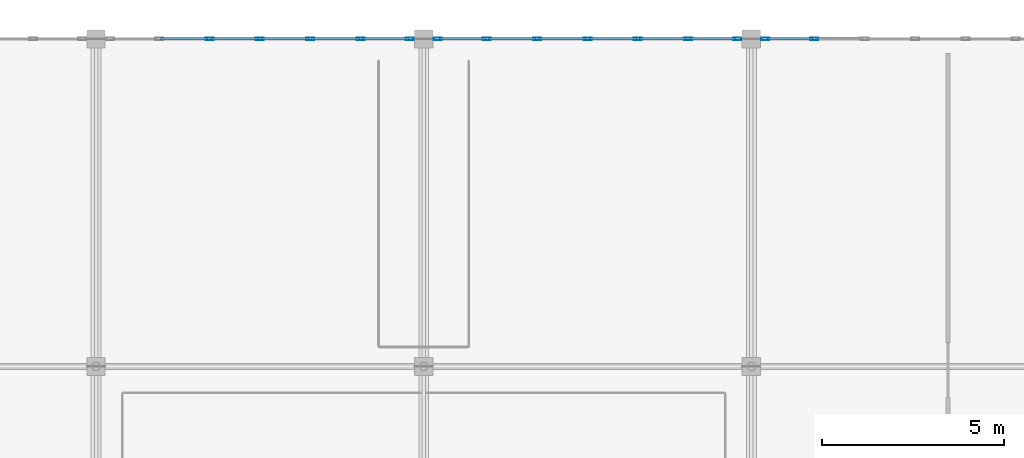
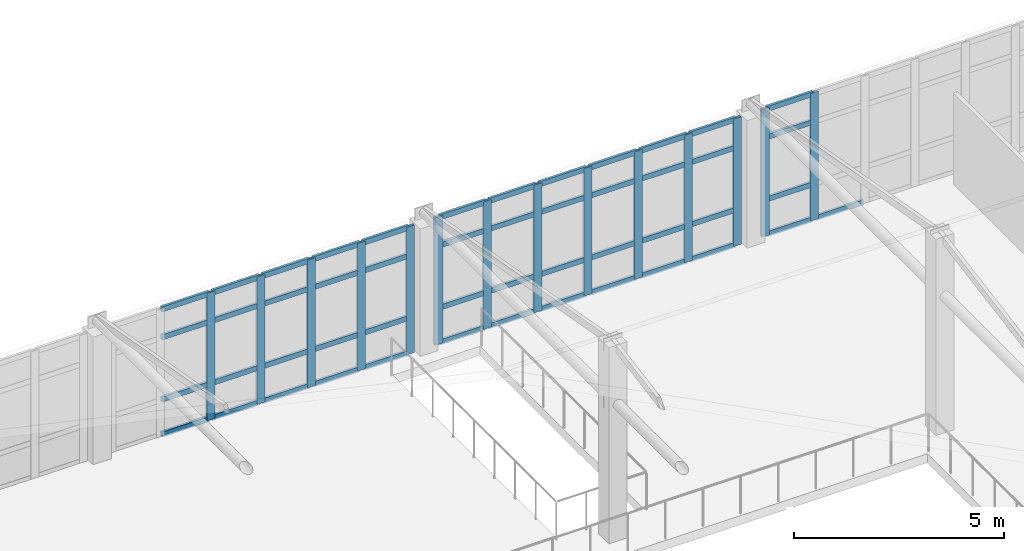
# One storey, part 70 of 156: 63 members, 3 elements without a shape of their own.
"""IFC4 building model written with IfcOpenShell, lengths in metres."""

from ifc_helpers import new_model, si_unit, direction, frame, origin, origin_2d, place, context, subcontext, project, spatial, hollow_rectangle, extrude, material, layer, layer_set, material_profile, profile_set, type_object, element, aggregate, save


model = new_model("IFC4")

# Units and contexts
model_context = context("Model", 3, precision=1e-05, world=origin(), true_north=direction((0.0, 1.0)))
body_context = subcontext(model_context, "Body", "Model", "MODEL_VIEW")
ifc_project = project(units=[si_unit("LENGTHUNIT", "METRE"), si_unit("AREAUNIT", "SQUARE_METRE"), si_unit("VOLUMEUNIT", "CUBIC_METRE"), si_unit("PLANEANGLEUNIT", "RADIAN"), si_unit("MASSUNIT", "GRAM", prefix="KILO")], contexts=[model_context])

# Site, building, storey
site_placement = place(None, origin())
site = spatial("IfcSite", under=ifc_project, at=site_placement, CompositionType="ELEMENT")
building_placement = place(site_placement, origin())
building = spatial("IfcBuilding", under=site, at=building_placement, Name="Ornek Quay Market", CompositionType="ELEMENT")
storey_placement = place(building_placement, frame((0.0, 0.0, 4.5)))
storey = spatial("IfcBuildingStorey", under=building, at=storey_placement, Name="L01", CompositionType="ELEMENT", Elevation=4.5)

# Curtain wall, members
ifc_material_1 = material(Name="Anodised bronze aluminium and triple low-e glass", Category="aluminium")
ifc_layer = layer(ifc_material_1, 0.219970703125, Name="Anodised bronze aluminium and triple low-e glass", Category="aluminium")
ifc_layer_set = layer_set([ifc_layer], Name="Anodised bronze aluminium and triple low-e glass")
curtain_wall_type = type_object("IfcCurtainWallType", Name="CW-PORCH-MOD1500", PredefinedType="USERDEFINED", material=ifc_layer_set)
curtain_wall_1_placement = place(storey_placement, origin())
curtain_wall_1 = element("IfcCurtainWall", 1, at=curtain_wall_1_placement, inside=storey, type_object=curtain_wall_type, Name="Curtain wall CW-052", ObjectType="CURTAIN WALL", PredefinedType="USERDEFINED")
ifc_material_2 = material(Name="Anodised aluminium 6063-T6", Category="aluminium")
ifc_material_profile_1 = material_profile(ifc_material_2, hollow_rectangle(XDim=0.074951171875, YDim=0.219970703125, WallThickness=0.0048828125, at=origin_2d()), Name="CW-MUL-75x220", Category="aluminium")
ifc_profile_set_1 = profile_set([ifc_material_profile_1], Name="Anodised aluminium 6063-T6")
member_type_1 = type_object("IfcMemberType", Name="CW-MUL-75x220", PredefinedType="MULLION", material=ifc_profile_set_1)
member_1_placement = place(storey_placement, frame((84.11669921875, 110.0, 0.0), z_axis=(0.0, 0.0, 1.0), x_axis=(0.0, 1.0, 0.0)))
member_1 = element("IfcMember", 2, at=member_1_placement, type_object=member_type_1, Name="CW-052 mullion 3", PredefinedType="MULLION", context=body_context, shape_type="SweptSolid", body=[
    extrude(hollow_rectangle(XDim=0.074951171875, YDim=0.219970703125, WallThickness=0.0048828125, at=origin_2d()), origin(), (0.0, 0.0, 1.0), 3.7099609375),
])
member_2_placement = place(storey_placement, frame((85.5, 110.0, 0.0), z_axis=(0.0, 0.0, 1.0), x_axis=(0.0, 1.0, 0.0)))
member_2 = element("IfcMember", 3, at=member_2_placement, type_object=member_type_1, Name="CW-052 mullion 4", PredefinedType="MULLION", context=body_context, shape_type="SweptSolid", body=[
    extrude(hollow_rectangle(XDim=0.074951171875, YDim=0.219970703125, WallThickness=0.0048828125, at=origin_2d()), origin(), (0.0, 0.0, 1.0), 3.7099609375),
])
member_3_placement = place(storey_placement, frame((86.88330078125, 110.0, 0.0), z_axis=(0.0, 0.0, 1.0), x_axis=(0.0, 1.0, 0.0)))
member_3 = element("IfcMember", 4, at=member_3_placement, type_object=member_type_1, Name="CW-052 mullion 5", PredefinedType="MULLION", context=body_context, shape_type="SweptSolid", body=[
    extrude(hollow_rectangle(XDim=0.074951171875, YDim=0.219970703125, WallThickness=0.0048828125, at=origin_2d()), origin(), (0.0, 0.0, 1.0), 3.7099609375),
])
member_4_placement = place(storey_placement, frame((88.2666015625, 110.0, 0.0), z_axis=(0.0, 0.0, 1.0), x_axis=(0.0, 1.0, 0.0)))
member_4 = element("IfcMember", 5, at=member_4_placement, type_object=member_type_1, Name="CW-052 mullion 6", PredefinedType="MULLION", context=body_context, shape_type="SweptSolid", body=[
    extrude(hollow_rectangle(XDim=0.074951171875, YDim=0.219970703125, WallThickness=0.0048828125, at=origin_2d()), origin(), (0.0, 0.0, 1.0), 3.7099609375),
])
member_5_placement = place(storey_placement, frame((89.612548828125, 110.0, 0.0), z_axis=(0.0, 0.0, 1.0), x_axis=(0.0, 1.0, 0.0)))
member_5 = element("IfcMember", 6, at=member_5_placement, type_object=member_type_1, Name="CW-052 mullion 7", PredefinedType="MULLION", context=body_context, shape_type="SweptSolid", body=[
    extrude(hollow_rectangle(XDim=0.074951171875, YDim=0.219970703125, WallThickness=0.0048828125, at=origin_2d()), origin(), (0.0, 0.0, 1.0), 3.7099609375),
])

curtain_wall_2_placement = place(storey_placement, origin())
curtain_wall_2 = element("IfcCurtainWall", 7, at=curtain_wall_2_placement, inside=storey, type_object=curtain_wall_type, Name="Curtain wall CW-053", ObjectType="CURTAIN WALL", PredefinedType="USERDEFINED")
member_6_placement = place(storey_placement, frame((90.387451171875, 110.0, 0.0), z_axis=(0.0, 0.0, 1.0), x_axis=(0.0, 1.0, 0.0)))
member_6 = element("IfcMember", 8, at=member_6_placement, type_object=member_type_1, Name="CW-053 mullion 1", PredefinedType="MULLION", context=body_context, shape_type="SweptSolid", body=[
    extrude(hollow_rectangle(XDim=0.074951171875, YDim=0.219970703125, WallThickness=0.0048828125, at=origin_2d()), origin(), (0.0, 0.0, 1.0), 3.7099609375),
])
member_7_placement = place(storey_placement, frame((91.7333984375, 110.0, 0.0), z_axis=(0.0, 0.0, 1.0), x_axis=(0.0, 1.0, 0.0)))
member_7 = element("IfcMember", 9, at=member_7_placement, type_object=member_type_1, Name="CW-053 mullion 2", PredefinedType="MULLION", context=body_context, shape_type="SweptSolid", body=[
    extrude(hollow_rectangle(XDim=0.074951171875, YDim=0.219970703125, WallThickness=0.0048828125, at=origin_2d()), origin(), (0.0, 0.0, 1.0), 3.7099609375),
])
member_8_placement = place(storey_placement, frame((93.11669921875, 110.0, 0.0), z_axis=(0.0, 0.0, 1.0), x_axis=(0.0, 1.0, 0.0)))
member_8 = element("IfcMember", 10, at=member_8_placement, type_object=member_type_1, Name="CW-053 mullion 3", PredefinedType="MULLION", context=body_context, shape_type="SweptSolid", body=[
    extrude(hollow_rectangle(XDim=0.074951171875, YDim=0.219970703125, WallThickness=0.0048828125, at=origin_2d()), origin(), (0.0, 0.0, 1.0), 3.7099609375),
])
member_9_placement = place(storey_placement, frame((94.5, 110.0, 0.0), z_axis=(0.0, 0.0, 1.0), x_axis=(0.0, 1.0, 0.0)))
member_9 = element("IfcMember", 11, at=member_9_placement, type_object=member_type_1, Name="CW-053 mullion 4", PredefinedType="MULLION", context=body_context, shape_type="SweptSolid", body=[
    extrude(hollow_rectangle(XDim=0.074951171875, YDim=0.219970703125, WallThickness=0.0048828125, at=origin_2d()), origin(), (0.0, 0.0, 1.0), 3.7099609375),
])
member_10_placement = place(storey_placement, frame((95.88330078125, 110.0, 0.0), z_axis=(0.0, 0.0, 1.0), x_axis=(0.0, 1.0, 0.0)))
member_10 = element("IfcMember", 12, at=member_10_placement, type_object=member_type_1, Name="CW-053 mullion 5", PredefinedType="MULLION", context=body_context, shape_type="SweptSolid", body=[
    extrude(hollow_rectangle(XDim=0.074951171875, YDim=0.219970703125, WallThickness=0.0048828125, at=origin_2d()), origin(), (0.0, 0.0, 1.0), 3.7099609375),
])
member_11_placement = place(storey_placement, frame((97.2666015625, 110.0, 0.0), z_axis=(0.0, 0.0, 1.0), x_axis=(0.0, 1.0, 0.0)))
member_11 = element("IfcMember", 13, at=member_11_placement, type_object=member_type_1, Name="CW-053 mullion 6", PredefinedType="MULLION", context=body_context, shape_type="SweptSolid", body=[
    extrude(hollow_rectangle(XDim=0.074951171875, YDim=0.219970703125, WallThickness=0.0048828125, at=origin_2d()), origin(), (0.0, 0.0, 1.0), 3.7099609375),
])
member_12_placement = place(storey_placement, frame((98.612548828125, 110.0, 0.0), z_axis=(0.0, 0.0, 1.0), x_axis=(0.0, 1.0, 0.0)))
member_12 = element("IfcMember", 14, at=member_12_placement, type_object=member_type_1, Name="CW-053 mullion 7", PredefinedType="MULLION", context=body_context, shape_type="SweptSolid", body=[
    extrude(hollow_rectangle(XDim=0.074951171875, YDim=0.219970703125, WallThickness=0.0048828125, at=origin_2d()), origin(), (0.0, 0.0, 1.0), 3.7099609375),
])

curtain_wall_3_placement = place(storey_placement, origin())
curtain_wall_3 = element("IfcCurtainWall", 15, at=curtain_wall_3_placement, inside=storey, type_object=curtain_wall_type, Name="Curtain wall CW-054", ObjectType="CURTAIN WALL", PredefinedType="USERDEFINED")
member_13_placement = place(storey_placement, frame((99.387451171875, 110.0, 0.0), z_axis=(0.0, 0.0, 1.0), x_axis=(0.0, 1.0, 0.0)))
member_13 = element("IfcMember", 16, at=member_13_placement, type_object=member_type_1, Name="CW-054 mullion 1", PredefinedType="MULLION", context=body_context, shape_type="SweptSolid", body=[
    extrude(hollow_rectangle(XDim=0.074951171875, YDim=0.219970703125, WallThickness=0.0048828125, at=origin_2d()), origin(), (0.0, 0.0, 1.0), 3.7099609375),
])
member_14_placement = place(storey_placement, frame((100.7333984375, 110.0, 0.0), z_axis=(0.0, 0.0, 1.0), x_axis=(0.0, 1.0, 0.0)))
member_14 = element("IfcMember", 17, at=member_14_placement, type_object=member_type_1, Name="CW-054 mullion 2", PredefinedType="MULLION", context=body_context, shape_type="SweptSolid", body=[
    extrude(hollow_rectangle(XDim=0.074951171875, YDim=0.219970703125, WallThickness=0.0048828125, at=origin_2d()), origin(), (0.0, 0.0, 1.0), 3.7099609375),
])

# Member
ifc_material_profile_2 = material_profile(ifc_material_2, hollow_rectangle(XDim=0.070068359375, YDim=0.14990234375, WallThickness=0.0048828125, at=origin_2d()), Name="CW-TRN-70x150", Category="aluminium")
ifc_profile_set_2 = profile_set([ifc_material_profile_2], Name="Anodised aluminium 6063-T6")
member_type_2 = type_object("IfcMemberType", Name="CW-TRN-70x150", PredefinedType="USERDEFINED", material=ifc_profile_set_2)
member_15_placement = place(storey_placement, frame((82.770751953125, 110.0, 0.034912109375), z_axis=(1.0, 0.0, 0.0), x_axis=(0.0, 1.0, 0.0)))
member_15 = element("IfcMember", 18, at=member_15_placement, type_object=member_type_2, Name="CW-052 transom 2.1", ObjectType="TRANSOM", PredefinedType="USERDEFINED", context=body_context, shape_type="SweptSolid", body=[
    extrude(hollow_rectangle(XDim=0.070068359375, YDim=0.14990234375, WallThickness=0.0048828125, at=origin_2d()), origin(), (0.0, 0.0, 1.0), 1.308349609375),
])

member_16_placement = place(storey_placement, frame((82.770751953125, 110.0, 1.050048828125), z_axis=(1.0, 0.0, 0.0), x_axis=(0.0, 1.0, 0.0)))
member_16 = element("IfcMember", 19, at=member_16_placement, type_object=member_type_2, Name="CW-052 transom 2.2", ObjectType="TRANSOM", PredefinedType="USERDEFINED", context=body_context, shape_type="SweptSolid", body=[
    extrude(hollow_rectangle(XDim=0.070068359375, YDim=0.14990234375, WallThickness=0.0048828125, at=origin_2d()), origin(), (0.0, 0.0, 1.0), 1.308349609375),
])

member_17_placement = place(storey_placement, frame((82.770751953125, 110.0, 2.860107421875), z_axis=(1.0, 0.0, 0.0), x_axis=(0.0, 1.0, 0.0)))
member_17 = element("IfcMember", 20, at=member_17_placement, type_object=member_type_2, Name="CW-052 transom 2.3", ObjectType="TRANSOM", PredefinedType="USERDEFINED", context=body_context, shape_type="SweptSolid", body=[
    extrude(hollow_rectangle(XDim=0.070068359375, YDim=0.14990234375, WallThickness=0.0048828125, at=origin_2d()), origin(), (0.0, 0.0, 1.0), 1.308349609375),
])

member_18_placement = place(storey_placement, frame((82.770751953125, 110.0, 3.675048828125), z_axis=(1.0, 0.0, 0.0), x_axis=(0.0, 1.0, 0.0)))
member_18 = element("IfcMember", 21, at=member_18_placement, type_object=member_type_2, Name="CW-052 transom 2.4", ObjectType="TRANSOM", PredefinedType="USERDEFINED", context=body_context, shape_type="SweptSolid", body=[
    extrude(hollow_rectangle(XDim=0.070068359375, YDim=0.14990234375, WallThickness=0.0048828125, at=origin_2d()), origin(), (0.0, 0.0, 1.0), 1.308349609375),
])

member_19_placement = place(storey_placement, frame((84.154052734375, 110.0, 0.034912109375), z_axis=(1.0, 0.0, 0.0), x_axis=(0.0, 1.0, 0.0)))
member_19 = element("IfcMember", 22, at=member_19_placement, type_object=member_type_2, Name="CW-052 transom 3.1", ObjectType="TRANSOM", PredefinedType="USERDEFINED", context=body_context, shape_type="SweptSolid", body=[
    extrude(hollow_rectangle(XDim=0.070068359375, YDim=0.14990234375, WallThickness=0.0048828125, at=origin_2d()), origin(), (0.0, 0.0, 1.0), 1.308349609375),
])

member_20_placement = place(storey_placement, frame((84.154052734375, 110.0, 1.050048828125), z_axis=(1.0, 0.0, 0.0), x_axis=(0.0, 1.0, 0.0)))
member_20 = element("IfcMember", 23, at=member_20_placement, type_object=member_type_2, Name="CW-052 transom 3.2", ObjectType="TRANSOM", PredefinedType="USERDEFINED", context=body_context, shape_type="SweptSolid", body=[
    extrude(hollow_rectangle(XDim=0.070068359375, YDim=0.14990234375, WallThickness=0.0048828125, at=origin_2d()), origin(), (0.0, 0.0, 1.0), 1.308349609375),
])

member_21_placement = place(storey_placement, frame((84.154052734375, 110.0, 2.860107421875), z_axis=(1.0, 0.0, 0.0), x_axis=(0.0, 1.0, 0.0)))
member_21 = element("IfcMember", 24, at=member_21_placement, type_object=member_type_2, Name="CW-052 transom 3.3", ObjectType="TRANSOM", PredefinedType="USERDEFINED", context=body_context, shape_type="SweptSolid", body=[
    extrude(hollow_rectangle(XDim=0.070068359375, YDim=0.14990234375, WallThickness=0.0048828125, at=origin_2d()), origin(), (0.0, 0.0, 1.0), 1.308349609375),
])

member_22_placement = place(storey_placement, frame((84.154052734375, 110.0, 3.675048828125), z_axis=(1.0, 0.0, 0.0), x_axis=(0.0, 1.0, 0.0)))
member_22 = element("IfcMember", 25, at=member_22_placement, type_object=member_type_2, Name="CW-052 transom 3.4", ObjectType="TRANSOM", PredefinedType="USERDEFINED", context=body_context, shape_type="SweptSolid", body=[
    extrude(hollow_rectangle(XDim=0.070068359375, YDim=0.14990234375, WallThickness=0.0048828125, at=origin_2d()), origin(), (0.0, 0.0, 1.0), 1.308349609375),
])

member_23_placement = place(storey_placement, frame((85.53759765625, 110.0, 0.034912109375), z_axis=(1.0, 0.0, 0.0), x_axis=(0.0, 1.0, 0.0)))
member_23 = element("IfcMember", 26, at=member_23_placement, type_object=member_type_2, Name="CW-052 transom 4.1", ObjectType="TRANSOM", PredefinedType="USERDEFINED", context=body_context, shape_type="SweptSolid", body=[
    extrude(hollow_rectangle(XDim=0.070068359375, YDim=0.14990234375, WallThickness=0.0048828125, at=origin_2d()), origin(), (0.0, 0.0, 1.0), 1.308349609375),
])

member_24_placement = place(storey_placement, frame((85.53759765625, 110.0, 1.050048828125), z_axis=(1.0, 0.0, 0.0), x_axis=(0.0, 1.0, 0.0)))
member_24 = element("IfcMember", 27, at=member_24_placement, type_object=member_type_2, Name="CW-052 transom 4.2", ObjectType="TRANSOM", PredefinedType="USERDEFINED", context=body_context, shape_type="SweptSolid", body=[
    extrude(hollow_rectangle(XDim=0.070068359375, YDim=0.14990234375, WallThickness=0.0048828125, at=origin_2d()), origin(), (0.0, 0.0, 1.0), 1.308349609375),
])

member_25_placement = place(storey_placement, frame((85.53759765625, 110.0, 2.860107421875), z_axis=(1.0, 0.0, 0.0), x_axis=(0.0, 1.0, 0.0)))
member_25 = element("IfcMember", 28, at=member_25_placement, type_object=member_type_2, Name="CW-052 transom 4.3", ObjectType="TRANSOM", PredefinedType="USERDEFINED", context=body_context, shape_type="SweptSolid", body=[
    extrude(hollow_rectangle(XDim=0.070068359375, YDim=0.14990234375, WallThickness=0.0048828125, at=origin_2d()), origin(), (0.0, 0.0, 1.0), 1.308349609375),
])

member_26_placement = place(storey_placement, frame((85.53759765625, 110.0, 3.675048828125), z_axis=(1.0, 0.0, 0.0), x_axis=(0.0, 1.0, 0.0)))
member_26 = element("IfcMember", 29, at=member_26_placement, type_object=member_type_2, Name="CW-052 transom 4.4", ObjectType="TRANSOM", PredefinedType="USERDEFINED", context=body_context, shape_type="SweptSolid", body=[
    extrude(hollow_rectangle(XDim=0.070068359375, YDim=0.14990234375, WallThickness=0.0048828125, at=origin_2d()), origin(), (0.0, 0.0, 1.0), 1.308349609375),
])

member_27_placement = place(storey_placement, frame((86.9208984375, 110.0, 0.034912109375), z_axis=(1.0, 0.0, 0.0), x_axis=(0.0, 1.0, 0.0)))
member_27 = element("IfcMember", 30, at=member_27_placement, type_object=member_type_2, Name="CW-052 transom 5.1", ObjectType="TRANSOM", PredefinedType="USERDEFINED", context=body_context, shape_type="SweptSolid", body=[
    extrude(hollow_rectangle(XDim=0.070068359375, YDim=0.14990234375, WallThickness=0.0048828125, at=origin_2d()), origin(), (0.0, 0.0, 1.0), 1.308349609375),
])

member_28_placement = place(storey_placement, frame((86.9208984375, 110.0, 1.050048828125), z_axis=(1.0, 0.0, 0.0), x_axis=(0.0, 1.0, 0.0)))
member_28 = element("IfcMember", 31, at=member_28_placement, type_object=member_type_2, Name="CW-052 transom 5.2", ObjectType="TRANSOM", PredefinedType="USERDEFINED", context=body_context, shape_type="SweptSolid", body=[
    extrude(hollow_rectangle(XDim=0.070068359375, YDim=0.14990234375, WallThickness=0.0048828125, at=origin_2d()), origin(), (0.0, 0.0, 1.0), 1.308349609375),
])

member_29_placement = place(storey_placement, frame((86.9208984375, 110.0, 2.860107421875), z_axis=(1.0, 0.0, 0.0), x_axis=(0.0, 1.0, 0.0)))
member_29 = element("IfcMember", 32, at=member_29_placement, type_object=member_type_2, Name="CW-052 transom 5.3", ObjectType="TRANSOM", PredefinedType="USERDEFINED", context=body_context, shape_type="SweptSolid", body=[
    extrude(hollow_rectangle(XDim=0.070068359375, YDim=0.14990234375, WallThickness=0.0048828125, at=origin_2d()), origin(), (0.0, 0.0, 1.0), 1.308349609375),
])

member_30_placement = place(storey_placement, frame((86.9208984375, 110.0, 3.675048828125), z_axis=(1.0, 0.0, 0.0), x_axis=(0.0, 1.0, 0.0)))
member_30 = element("IfcMember", 33, at=member_30_placement, type_object=member_type_2, Name="CW-052 transom 5.4", ObjectType="TRANSOM", PredefinedType="USERDEFINED", context=body_context, shape_type="SweptSolid", body=[
    extrude(hollow_rectangle(XDim=0.070068359375, YDim=0.14990234375, WallThickness=0.0048828125, at=origin_2d()), origin(), (0.0, 0.0, 1.0), 1.308349609375),
])

member_31_placement = place(storey_placement, frame((88.30419921875, 110.0, 0.034912109375), z_axis=(1.0, 0.0, 0.0), x_axis=(0.0, 1.0, 0.0)))
member_31 = element("IfcMember", 34, at=member_31_placement, type_object=member_type_2, Name="CW-052 transom 6.1", ObjectType="TRANSOM", PredefinedType="USERDEFINED", context=body_context, shape_type="SweptSolid", body=[
    extrude(hollow_rectangle(XDim=0.070068359375, YDim=0.14990234375, WallThickness=0.0048828125, at=origin_2d()), origin(), (0.0, 0.0, 1.0), 1.270751953125),
])

member_32_placement = place(storey_placement, frame((88.30419921875, 110.0, 1.050048828125), z_axis=(1.0, 0.0, 0.0), x_axis=(0.0, 1.0, 0.0)))
member_32 = element("IfcMember", 35, at=member_32_placement, type_object=member_type_2, Name="CW-052 transom 6.2", ObjectType="TRANSOM", PredefinedType="USERDEFINED", context=body_context, shape_type="SweptSolid", body=[
    extrude(hollow_rectangle(XDim=0.070068359375, YDim=0.14990234375, WallThickness=0.0048828125, at=origin_2d()), origin(), (0.0, 0.0, 1.0), 1.270751953125),
])

member_33_placement = place(storey_placement, frame((88.30419921875, 110.0, 2.860107421875), z_axis=(1.0, 0.0, 0.0), x_axis=(0.0, 1.0, 0.0)))
member_33 = element("IfcMember", 36, at=member_33_placement, type_object=member_type_2, Name="CW-052 transom 6.3", ObjectType="TRANSOM", PredefinedType="USERDEFINED", context=body_context, shape_type="SweptSolid", body=[
    extrude(hollow_rectangle(XDim=0.070068359375, YDim=0.14990234375, WallThickness=0.0048828125, at=origin_2d()), origin(), (0.0, 0.0, 1.0), 1.270751953125),
])

member_34_placement = place(storey_placement, frame((88.30419921875, 110.0, 3.675048828125), z_axis=(1.0, 0.0, 0.0), x_axis=(0.0, 1.0, 0.0)))
member_34 = element("IfcMember", 37, at=member_34_placement, type_object=member_type_2, Name="CW-052 transom 6.4", ObjectType="TRANSOM", PredefinedType="USERDEFINED", context=body_context, shape_type="SweptSolid", body=[
    extrude(hollow_rectangle(XDim=0.070068359375, YDim=0.14990234375, WallThickness=0.0048828125, at=origin_2d()), origin(), (0.0, 0.0, 1.0), 1.270751953125),
])

aggregate(curtain_wall_1, [member_1, member_2, member_3, member_4, member_5, member_15, member_16, member_17, member_18, member_19, member_20, member_21, member_22, member_23, member_24, member_25, member_26, member_27, member_28, member_29, member_30, member_31, member_32, member_33, member_34])

member_35_placement = place(storey_placement, frame((90.425048828125, 110.0, 0.034912109375), z_axis=(1.0, 0.0, 0.0), x_axis=(0.0, 1.0, 0.0)))
member_35 = element("IfcMember", 38, at=member_35_placement, type_object=member_type_2, Name="CW-053 transom 1.1", ObjectType="TRANSOM", PredefinedType="USERDEFINED", context=body_context, shape_type="SweptSolid", body=[
    extrude(hollow_rectangle(XDim=0.070068359375, YDim=0.14990234375, WallThickness=0.0048828125, at=origin_2d()), origin(), (0.0, 0.0, 1.0), 1.270751953125),
])

member_36_placement = place(storey_placement, frame((90.425048828125, 110.0, 1.050048828125), z_axis=(1.0, 0.0, 0.0), x_axis=(0.0, 1.0, 0.0)))
member_36 = element("IfcMember", 39, at=member_36_placement, type_object=member_type_2, Name="CW-053 transom 1.2", ObjectType="TRANSOM", PredefinedType="USERDEFINED", context=body_context, shape_type="SweptSolid", body=[
    extrude(hollow_rectangle(XDim=0.070068359375, YDim=0.14990234375, WallThickness=0.0048828125, at=origin_2d()), origin(), (0.0, 0.0, 1.0), 1.270751953125),
])

member_37_placement = place(storey_placement, frame((90.425048828125, 110.0, 2.860107421875), z_axis=(1.0, 0.0, 0.0), x_axis=(0.0, 1.0, 0.0)))
member_37 = element("IfcMember", 40, at=member_37_placement, type_object=member_type_2, Name="CW-053 transom 1.3", ObjectType="TRANSOM", PredefinedType="USERDEFINED", context=body_context, shape_type="SweptSolid", body=[
    extrude(hollow_rectangle(XDim=0.070068359375, YDim=0.14990234375, WallThickness=0.0048828125, at=origin_2d()), origin(), (0.0, 0.0, 1.0), 1.270751953125),
])

member_38_placement = place(storey_placement, frame((90.425048828125, 110.0, 3.675048828125), z_axis=(1.0, 0.0, 0.0), x_axis=(0.0, 1.0, 0.0)))
member_38 = element("IfcMember", 41, at=member_38_placement, type_object=member_type_2, Name="CW-053 transom 1.4", ObjectType="TRANSOM", PredefinedType="USERDEFINED", context=body_context, shape_type="SweptSolid", body=[
    extrude(hollow_rectangle(XDim=0.070068359375, YDim=0.14990234375, WallThickness=0.0048828125, at=origin_2d()), origin(), (0.0, 0.0, 1.0), 1.270751953125),
])

member_39_placement = place(storey_placement, frame((91.770751953125, 110.0, 0.034912109375), z_axis=(1.0, 0.0, 0.0), x_axis=(0.0, 1.0, 0.0)))
member_39 = element("IfcMember", 42, at=member_39_placement, type_object=member_type_2, Name="CW-053 transom 2.1", ObjectType="TRANSOM", PredefinedType="USERDEFINED", context=body_context, shape_type="SweptSolid", body=[
    extrude(hollow_rectangle(XDim=0.070068359375, YDim=0.14990234375, WallThickness=0.0048828125, at=origin_2d()), origin(), (0.0, 0.0, 1.0), 1.308349609375),
])

member_40_placement = place(storey_placement, frame((91.770751953125, 110.0, 1.050048828125), z_axis=(1.0, 0.0, 0.0), x_axis=(0.0, 1.0, 0.0)))
member_40 = element("IfcMember", 43, at=member_40_placement, type_object=member_type_2, Name="CW-053 transom 2.2", ObjectType="TRANSOM", PredefinedType="USERDEFINED", context=body_context, shape_type="SweptSolid", body=[
    extrude(hollow_rectangle(XDim=0.070068359375, YDim=0.14990234375, WallThickness=0.0048828125, at=origin_2d()), origin(), (0.0, 0.0, 1.0), 1.308349609375),
])

member_41_placement = place(storey_placement, frame((91.770751953125, 110.0, 2.860107421875), z_axis=(1.0, 0.0, 0.0), x_axis=(0.0, 1.0, 0.0)))
member_41 = element("IfcMember", 44, at=member_41_placement, type_object=member_type_2, Name="CW-053 transom 2.3", ObjectType="TRANSOM", PredefinedType="USERDEFINED", context=body_context, shape_type="SweptSolid", body=[
    extrude(hollow_rectangle(XDim=0.070068359375, YDim=0.14990234375, WallThickness=0.0048828125, at=origin_2d()), origin(), (0.0, 0.0, 1.0), 1.308349609375),
])

member_42_placement = place(storey_placement, frame((91.770751953125, 110.0, 3.675048828125), z_axis=(1.0, 0.0, 0.0), x_axis=(0.0, 1.0, 0.0)))
member_42 = element("IfcMember", 45, at=member_42_placement, type_object=member_type_2, Name="CW-053 transom 2.4", ObjectType="TRANSOM", PredefinedType="USERDEFINED", context=body_context, shape_type="SweptSolid", body=[
    extrude(hollow_rectangle(XDim=0.070068359375, YDim=0.14990234375, WallThickness=0.0048828125, at=origin_2d()), origin(), (0.0, 0.0, 1.0), 1.308349609375),
])

member_43_placement = place(storey_placement, frame((93.154052734375, 110.0, 0.034912109375), z_axis=(1.0, 0.0, 0.0), x_axis=(0.0, 1.0, 0.0)))
member_43 = element("IfcMember", 46, at=member_43_placement, type_object=member_type_2, Name="CW-053 transom 3.1", ObjectType="TRANSOM", PredefinedType="USERDEFINED", context=body_context, shape_type="SweptSolid", body=[
    extrude(hollow_rectangle(XDim=0.070068359375, YDim=0.14990234375, WallThickness=0.0048828125, at=origin_2d()), origin(), (0.0, 0.0, 1.0), 1.308349609375),
])

member_44_placement = place(storey_placement, frame((93.154052734375, 110.0, 1.050048828125), z_axis=(1.0, 0.0, 0.0), x_axis=(0.0, 1.0, 0.0)))
member_44 = element("IfcMember", 47, at=member_44_placement, type_object=member_type_2, Name="CW-053 transom 3.2", ObjectType="TRANSOM", PredefinedType="USERDEFINED", context=body_context, shape_type="SweptSolid", body=[
    extrude(hollow_rectangle(XDim=0.070068359375, YDim=0.14990234375, WallThickness=0.0048828125, at=origin_2d()), origin(), (0.0, 0.0, 1.0), 1.308349609375),
])

member_45_placement = place(storey_placement, frame((93.154052734375, 110.0, 2.860107421875), z_axis=(1.0, 0.0, 0.0), x_axis=(0.0, 1.0, 0.0)))
member_45 = element("IfcMember", 48, at=member_45_placement, type_object=member_type_2, Name="CW-053 transom 3.3", ObjectType="TRANSOM", PredefinedType="USERDEFINED", context=body_context, shape_type="SweptSolid", body=[
    extrude(hollow_rectangle(XDim=0.070068359375, YDim=0.14990234375, WallThickness=0.0048828125, at=origin_2d()), origin(), (0.0, 0.0, 1.0), 1.308349609375),
])

member_46_placement = place(storey_placement, frame((93.154052734375, 110.0, 3.675048828125), z_axis=(1.0, 0.0, 0.0), x_axis=(0.0, 1.0, 0.0)))
member_46 = element("IfcMember", 49, at=member_46_placement, type_object=member_type_2, Name="CW-053 transom 3.4", ObjectType="TRANSOM", PredefinedType="USERDEFINED", context=body_context, shape_type="SweptSolid", body=[
    extrude(hollow_rectangle(XDim=0.070068359375, YDim=0.14990234375, WallThickness=0.0048828125, at=origin_2d()), origin(), (0.0, 0.0, 1.0), 1.308349609375),
])

member_47_placement = place(storey_placement, frame((94.53759765625, 110.0, 0.034912109375), z_axis=(1.0, 0.0, 0.0), x_axis=(0.0, 1.0, 0.0)))
member_47 = element("IfcMember", 50, at=member_47_placement, type_object=member_type_2, Name="CW-053 transom 4.1", ObjectType="TRANSOM", PredefinedType="USERDEFINED", context=body_context, shape_type="SweptSolid", body=[
    extrude(hollow_rectangle(XDim=0.070068359375, YDim=0.14990234375, WallThickness=0.0048828125, at=origin_2d()), origin(), (0.0, 0.0, 1.0), 1.308349609375),
])

member_48_placement = place(storey_placement, frame((94.53759765625, 110.0, 1.050048828125), z_axis=(1.0, 0.0, 0.0), x_axis=(0.0, 1.0, 0.0)))
member_48 = element("IfcMember", 51, at=member_48_placement, type_object=member_type_2, Name="CW-053 transom 4.2", ObjectType="TRANSOM", PredefinedType="USERDEFINED", context=body_context, shape_type="SweptSolid", body=[
    extrude(hollow_rectangle(XDim=0.070068359375, YDim=0.14990234375, WallThickness=0.0048828125, at=origin_2d()), origin(), (0.0, 0.0, 1.0), 1.308349609375),
])

member_49_placement = place(storey_placement, frame((94.53759765625, 110.0, 2.860107421875), z_axis=(1.0, 0.0, 0.0), x_axis=(0.0, 1.0, 0.0)))
member_49 = element("IfcMember", 52, at=member_49_placement, type_object=member_type_2, Name="CW-053 transom 4.3", ObjectType="TRANSOM", PredefinedType="USERDEFINED", context=body_context, shape_type="SweptSolid", body=[
    extrude(hollow_rectangle(XDim=0.070068359375, YDim=0.14990234375, WallThickness=0.0048828125, at=origin_2d()), origin(), (0.0, 0.0, 1.0), 1.308349609375),
])

member_50_placement = place(storey_placement, frame((94.53759765625, 110.0, 3.675048828125), z_axis=(1.0, 0.0, 0.0), x_axis=(0.0, 1.0, 0.0)))
member_50 = element("IfcMember", 53, at=member_50_placement, type_object=member_type_2, Name="CW-053 transom 4.4", ObjectType="TRANSOM", PredefinedType="USERDEFINED", context=body_context, shape_type="SweptSolid", body=[
    extrude(hollow_rectangle(XDim=0.070068359375, YDim=0.14990234375, WallThickness=0.0048828125, at=origin_2d()), origin(), (0.0, 0.0, 1.0), 1.308349609375),
])

member_51_placement = place(storey_placement, frame((95.9208984375, 110.0, 0.034912109375), z_axis=(1.0, 0.0, 0.0), x_axis=(0.0, 1.0, 0.0)))
member_51 = element("IfcMember", 54, at=member_51_placement, type_object=member_type_2, Name="CW-053 transom 5.1", ObjectType="TRANSOM", PredefinedType="USERDEFINED", context=body_context, shape_type="SweptSolid", body=[
    extrude(hollow_rectangle(XDim=0.070068359375, YDim=0.14990234375, WallThickness=0.0048828125, at=origin_2d()), origin(), (0.0, 0.0, 1.0), 1.308349609375),
])

member_52_placement = place(storey_placement, frame((95.9208984375, 110.0, 1.050048828125), z_axis=(1.0, 0.0, 0.0), x_axis=(0.0, 1.0, 0.0)))
member_52 = element("IfcMember", 55, at=member_52_placement, type_object=member_type_2, Name="CW-053 transom 5.2", ObjectType="TRANSOM", PredefinedType="USERDEFINED", context=body_context, shape_type="SweptSolid", body=[
    extrude(hollow_rectangle(XDim=0.070068359375, YDim=0.14990234375, WallThickness=0.0048828125, at=origin_2d()), origin(), (0.0, 0.0, 1.0), 1.308349609375),
])

member_53_placement = place(storey_placement, frame((95.9208984375, 110.0, 2.860107421875), z_axis=(1.0, 0.0, 0.0), x_axis=(0.0, 1.0, 0.0)))
member_53 = element("IfcMember", 56, at=member_53_placement, type_object=member_type_2, Name="CW-053 transom 5.3", ObjectType="TRANSOM", PredefinedType="USERDEFINED", context=body_context, shape_type="SweptSolid", body=[
    extrude(hollow_rectangle(XDim=0.070068359375, YDim=0.14990234375, WallThickness=0.0048828125, at=origin_2d()), origin(), (0.0, 0.0, 1.0), 1.308349609375),
])

member_54_placement = place(storey_placement, frame((95.9208984375, 110.0, 3.675048828125), z_axis=(1.0, 0.0, 0.0), x_axis=(0.0, 1.0, 0.0)))
member_54 = element("IfcMember", 57, at=member_54_placement, type_object=member_type_2, Name="CW-053 transom 5.4", ObjectType="TRANSOM", PredefinedType="USERDEFINED", context=body_context, shape_type="SweptSolid", body=[
    extrude(hollow_rectangle(XDim=0.070068359375, YDim=0.14990234375, WallThickness=0.0048828125, at=origin_2d()), origin(), (0.0, 0.0, 1.0), 1.308349609375),
])

member_55_placement = place(storey_placement, frame((97.30419921875, 110.0, 0.034912109375), z_axis=(1.0, 0.0, 0.0), x_axis=(0.0, 1.0, 0.0)))
member_55 = element("IfcMember", 58, at=member_55_placement, type_object=member_type_2, Name="CW-053 transom 6.1", ObjectType="TRANSOM", PredefinedType="USERDEFINED", context=body_context, shape_type="SweptSolid", body=[
    extrude(hollow_rectangle(XDim=0.070068359375, YDim=0.14990234375, WallThickness=0.0048828125, at=origin_2d()), origin(), (0.0, 0.0, 1.0), 1.270751953125),
])

member_56_placement = place(storey_placement, frame((97.30419921875, 110.0, 1.050048828125), z_axis=(1.0, 0.0, 0.0), x_axis=(0.0, 1.0, 0.0)))
member_56 = element("IfcMember", 59, at=member_56_placement, type_object=member_type_2, Name="CW-053 transom 6.2", ObjectType="TRANSOM", PredefinedType="USERDEFINED", context=body_context, shape_type="SweptSolid", body=[
    extrude(hollow_rectangle(XDim=0.070068359375, YDim=0.14990234375, WallThickness=0.0048828125, at=origin_2d()), origin(), (0.0, 0.0, 1.0), 1.270751953125),
])

member_57_placement = place(storey_placement, frame((97.30419921875, 110.0, 2.860107421875), z_axis=(1.0, 0.0, 0.0), x_axis=(0.0, 1.0, 0.0)))
member_57 = element("IfcMember", 60, at=member_57_placement, type_object=member_type_2, Name="CW-053 transom 6.3", ObjectType="TRANSOM", PredefinedType="USERDEFINED", context=body_context, shape_type="SweptSolid", body=[
    extrude(hollow_rectangle(XDim=0.070068359375, YDim=0.14990234375, WallThickness=0.0048828125, at=origin_2d()), origin(), (0.0, 0.0, 1.0), 1.270751953125),
])

member_58_placement = place(storey_placement, frame((97.30419921875, 110.0, 3.675048828125), z_axis=(1.0, 0.0, 0.0), x_axis=(0.0, 1.0, 0.0)))
member_58 = element("IfcMember", 61, at=member_58_placement, type_object=member_type_2, Name="CW-053 transom 6.4", ObjectType="TRANSOM", PredefinedType="USERDEFINED", context=body_context, shape_type="SweptSolid", body=[
    extrude(hollow_rectangle(XDim=0.070068359375, YDim=0.14990234375, WallThickness=0.0048828125, at=origin_2d()), origin(), (0.0, 0.0, 1.0), 1.270751953125),
])

aggregate(curtain_wall_2, [member_6, member_7, member_8, member_9, member_10, member_11, member_12, member_35, member_36, member_37, member_38, member_39, member_40, member_41, member_42, member_43, member_44, member_45, member_46, member_47, member_48, member_49, member_50, member_51, member_52, member_53, member_54, member_55, member_56, member_57, member_58])

member_59_placement = place(storey_placement, frame((99.425048828125, 110.0, 0.034912109375), z_axis=(1.0, 0.0, 0.0), x_axis=(0.0, 1.0, 0.0)))
member_59 = element("IfcMember", 62, at=member_59_placement, type_object=member_type_2, Name="CW-054 transom 1.1", ObjectType="TRANSOM", PredefinedType="USERDEFINED", context=body_context, shape_type="SweptSolid", body=[
    extrude(hollow_rectangle(XDim=0.070068359375, YDim=0.14990234375, WallThickness=0.0048828125, at=origin_2d()), origin(), (0.0, 0.0, 1.0), 1.270751953125),
])

member_60_placement = place(storey_placement, frame((99.425048828125, 110.0, 1.050048828125), z_axis=(1.0, 0.0, 0.0), x_axis=(0.0, 1.0, 0.0)))
member_60 = element("IfcMember", 63, at=member_60_placement, type_object=member_type_2, Name="CW-054 transom 1.2", ObjectType="TRANSOM", PredefinedType="USERDEFINED", context=body_context, shape_type="SweptSolid", body=[
    extrude(hollow_rectangle(XDim=0.070068359375, YDim=0.14990234375, WallThickness=0.0048828125, at=origin_2d()), origin(), (0.0, 0.0, 1.0), 1.270751953125),
])

member_61_placement = place(storey_placement, frame((99.425048828125, 110.0, 2.860107421875), z_axis=(1.0, 0.0, 0.0), x_axis=(0.0, 1.0, 0.0)))
member_61 = element("IfcMember", 64, at=member_61_placement, type_object=member_type_2, Name="CW-054 transom 1.3", ObjectType="TRANSOM", PredefinedType="USERDEFINED", context=body_context, shape_type="SweptSolid", body=[
    extrude(hollow_rectangle(XDim=0.070068359375, YDim=0.14990234375, WallThickness=0.0048828125, at=origin_2d()), origin(), (0.0, 0.0, 1.0), 1.270751953125),
])

member_62_placement = place(storey_placement, frame((99.425048828125, 110.0, 3.675048828125), z_axis=(1.0, 0.0, 0.0), x_axis=(0.0, 1.0, 0.0)))
member_62 = element("IfcMember", 65, at=member_62_placement, type_object=member_type_2, Name="CW-054 transom 1.4", ObjectType="TRANSOM", PredefinedType="USERDEFINED", context=body_context, shape_type="SweptSolid", body=[
    extrude(hollow_rectangle(XDim=0.070068359375, YDim=0.14990234375, WallThickness=0.0048828125, at=origin_2d()), origin(), (0.0, 0.0, 1.0), 1.270751953125),
])

member_63_placement = place(storey_placement, frame((100.770751953125, 110.0, 0.034912109375), z_axis=(1.0, 0.0, 0.0), x_axis=(0.0, 1.0, 0.0)))
member_63 = element("IfcMember", 66, at=member_63_placement, type_object=member_type_2, Name="CW-054 transom 2.1", ObjectType="TRANSOM", PredefinedType="USERDEFINED", context=body_context, shape_type="SweptSolid", body=[
    extrude(hollow_rectangle(XDim=0.070068359375, YDim=0.14990234375, WallThickness=0.0048828125, at=origin_2d()), origin(), (0.0, 0.0, 1.0), 1.308349609375),
])

aggregate(curtain_wall_3, [member_13, member_14, member_59, member_60, member_61, member_62, member_63])

save(model, "model.ifc")
